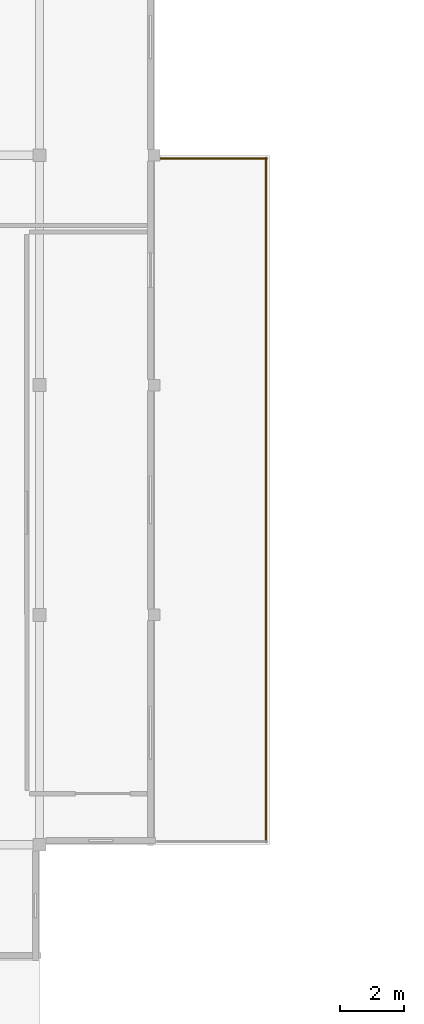
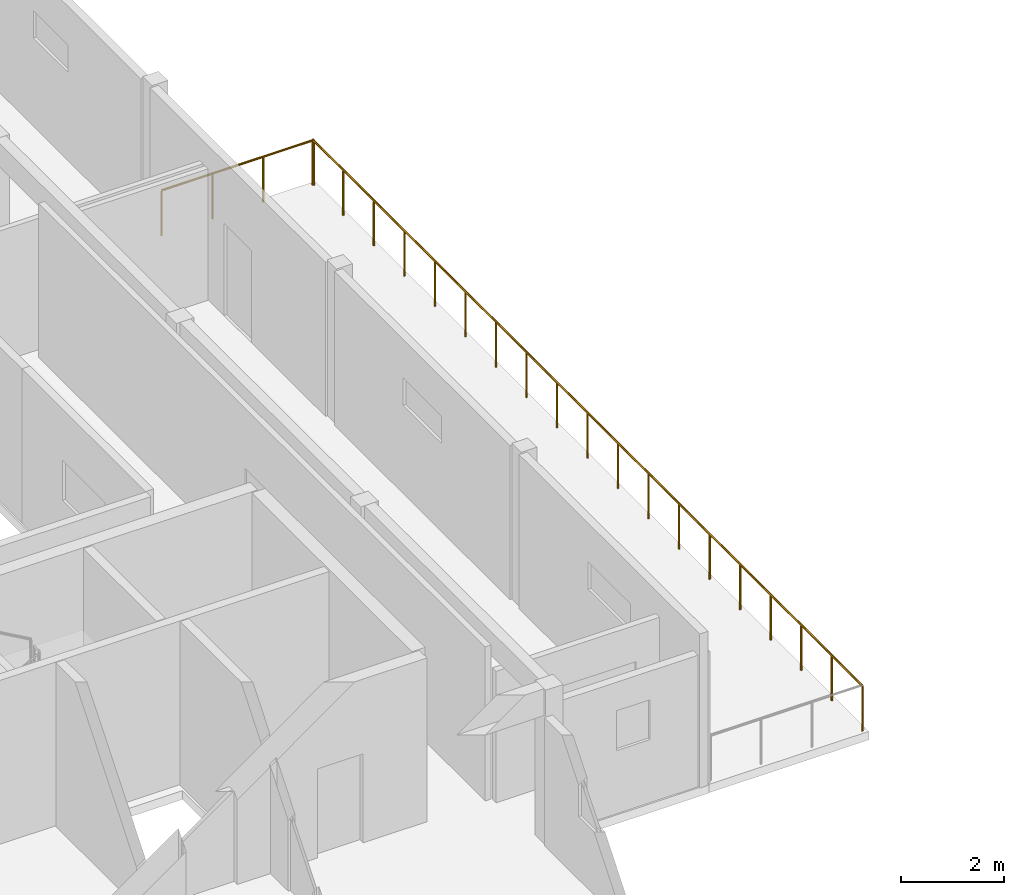
# One storey, part 12 of 12: 2 railings.
"""IFC4 building model written with IfcOpenShell, lengths in metres."""

from ifc_helpers import new_model, si_unit, direction, frame, origin, origin_2d, place, context, subcontext, project, spatial, circle, extrude, material, type_object, element, save


model = new_model("IFC4")

# Units and contexts
model_context = context("Model", 3, precision=1e-05, world=origin(), true_north=direction((0.0, 1.0)))
body_context = subcontext(model_context, "Body", "Model", "MODEL_VIEW")
ifc_project = project(units=[si_unit("LENGTHUNIT", "METRE"), si_unit("AREAUNIT", "SQUARE_METRE"), si_unit("VOLUMEUNIT", "CUBIC_METRE"), si_unit("PLANEANGLEUNIT", "RADIAN"), si_unit("MASSUNIT", "GRAM", prefix="KILO")], contexts=[model_context])

# Site, building, storey
site_placement = place(None, origin())
site = spatial("IfcSite", under=ifc_project, at=site_placement, CompositionType="ELEMENT")
building_placement = place(site_placement, origin())
building = spatial("IfcBuilding", under=site, at=building_placement, Name="Bramvelor Terrace Health Centre", CompositionType="ELEMENT")
storey_placement = place(building_placement, frame((0.0, 0.0, 17.699951171875)))
storey = spatial("IfcBuildingStorey", under=building, at=storey_placement, Name="L05", CompositionType="ELEMENT", Elevation=17.699951171875)

# Railings
ifc_material = material(Name="Laminated safety glass and stainless steel", Category="steel")
railing_type = type_object("IfcRailingType", Name="RLG-TER-1100", PredefinedType="BALUSTRADE", material=ifc_material)
railing_1_placement = place(storey_placement, frame((35.89990234375, 107.919921875, 0.0)))
element("IfcRailing", 1, at=railing_1_placement, inside=storey, type_object=railing_type, Name="L05 Planted Terrace Safety Balustrade 7", PredefinedType="BALUSTRADE", context=body_context, shape_type="SweptSolid", body=[
    extrude(circle(Radius=0.02392578125, at=origin_2d()), frame((0.0, 0.0, 1.076171875), z_axis=(0.0, -1.0, 0.0), x_axis=(1.0, 0.0, 0.0)), (0.0, 0.0, 1.0), 21.43994140625),
    extrude(circle(Radius=0.02099609375, at=origin_2d()), origin(), (0.0, 0.0, 1.0), 1.052001953125),
    extrude(circle(Radius=0.02099609375, at=origin_2d()), frame((0.0, -1.191162109375, 0.0)), (0.0, 0.0, 1.0), 1.052001953125),
    extrude(circle(Radius=0.02099609375, at=origin_2d()), frame((0.0, -2.38232421875, 0.0)), (0.0, 0.0, 1.0), 1.052001953125),
    extrude(circle(Radius=0.02099609375, at=origin_2d()), frame((0.0, -3.5732421875, 0.0)), (0.0, 0.0, 1.0), 1.052001953125),
    extrude(circle(Radius=0.02099609375, at=origin_2d()), frame((0.0, -4.764404296875, 0.0)), (0.0, 0.0, 1.0), 1.052001953125),
    extrude(circle(Radius=0.02099609375, at=origin_2d()), frame((0.0, -5.95556640625, 0.0)), (0.0, 0.0, 1.0), 1.052001953125),
    extrude(circle(Radius=0.02099609375, at=origin_2d()), frame((0.0, -7.146728515625, 0.0)), (0.0, 0.0, 1.0), 1.052001953125),
    extrude(circle(Radius=0.02099609375, at=origin_2d()), frame((0.0, -8.337646484375, 0.0)), (0.0, 0.0, 1.0), 1.052001953125),
    extrude(circle(Radius=0.02099609375, at=origin_2d()), frame((0.0, -9.52880859375, 0.0)), (0.0, 0.0, 1.0), 1.052001953125),
    extrude(circle(Radius=0.02099609375, at=origin_2d()), frame((0.0, -10.719970703125, 0.0)), (0.0, 0.0, 1.0), 1.052001953125),
    extrude(circle(Radius=0.02099609375, at=origin_2d()), frame((0.0, -11.9111328125, 0.0)), (0.0, 0.0, 1.0), 1.052001953125),
    extrude(circle(Radius=0.02099609375, at=origin_2d()), frame((0.0, -13.102294921875, 0.0)), (0.0, 0.0, 1.0), 1.052001953125),
    extrude(circle(Radius=0.02099609375, at=origin_2d()), frame((0.0, -14.293212890625, 0.0)), (0.0, 0.0, 1.0), 1.052001953125),
    extrude(circle(Radius=0.02099609375, at=origin_2d()), frame((0.0, -15.484375, 0.0)), (0.0, 0.0, 1.0), 1.052001953125),
    extrude(circle(Radius=0.02099609375, at=origin_2d()), frame((0.0, -16.675537109375, 0.0)), (0.0, 0.0, 1.0), 1.052001953125),
    extrude(circle(Radius=0.02099609375, at=origin_2d()), frame((0.0, -17.86669921875, 0.0)), (0.0, 0.0, 1.0), 1.052001953125),
    extrude(circle(Radius=0.02099609375, at=origin_2d()), frame((0.0, -19.0576171875, 0.0)), (0.0, 0.0, 1.0), 1.052001953125),
    extrude(circle(Radius=0.02099609375, at=origin_2d()), frame((0.0, -20.248779296875, 0.0)), (0.0, 0.0, 1.0), 1.052001953125),
    extrude(circle(Radius=0.02099609375, at=origin_2d()), frame((0.0, -21.43994140625, 0.0)), (0.0, 0.0, 1.0), 1.052001953125),
])
railing_2_placement = place(storey_placement, frame((32.485107421875, 107.89990234375, 0.0)))
element("IfcRailing", 2, at=railing_2_placement, inside=storey, type_object=railing_type, Name="L05 Planted Terrace Safety Balustrade 9", PredefinedType="BALUSTRADE", context=body_context, shape_type="SweptSolid", body=[
    extrude(circle(Radius=0.02392578125, at=origin_2d()), frame((0.0, 0.0, 1.076171875), z_axis=(1.0, 0.0, 0.0), x_axis=(0.0, 1.0, 0.0)), (0.0, 0.0, 1.0), 3.434814453125),
    extrude(circle(Radius=0.02099609375, at=origin_2d()), origin(), (0.0, 0.0, 1.0), 1.052001953125),
    extrude(circle(Radius=0.02099609375, at=origin_2d()), frame((1.14501953125, 0.0, 0.0)), (0.0, 0.0, 1.0), 1.052001953125),
    extrude(circle(Radius=0.02099609375, at=origin_2d()), frame((2.289794921875, 0.0, 0.0)), (0.0, 0.0, 1.0), 1.052001953125),
    extrude(circle(Radius=0.02099609375, at=origin_2d()), frame((3.434814453125, 0.0, 0.0)), (0.0, 0.0, 1.0), 1.052001953125),
])

save(model, "model.ifc")
